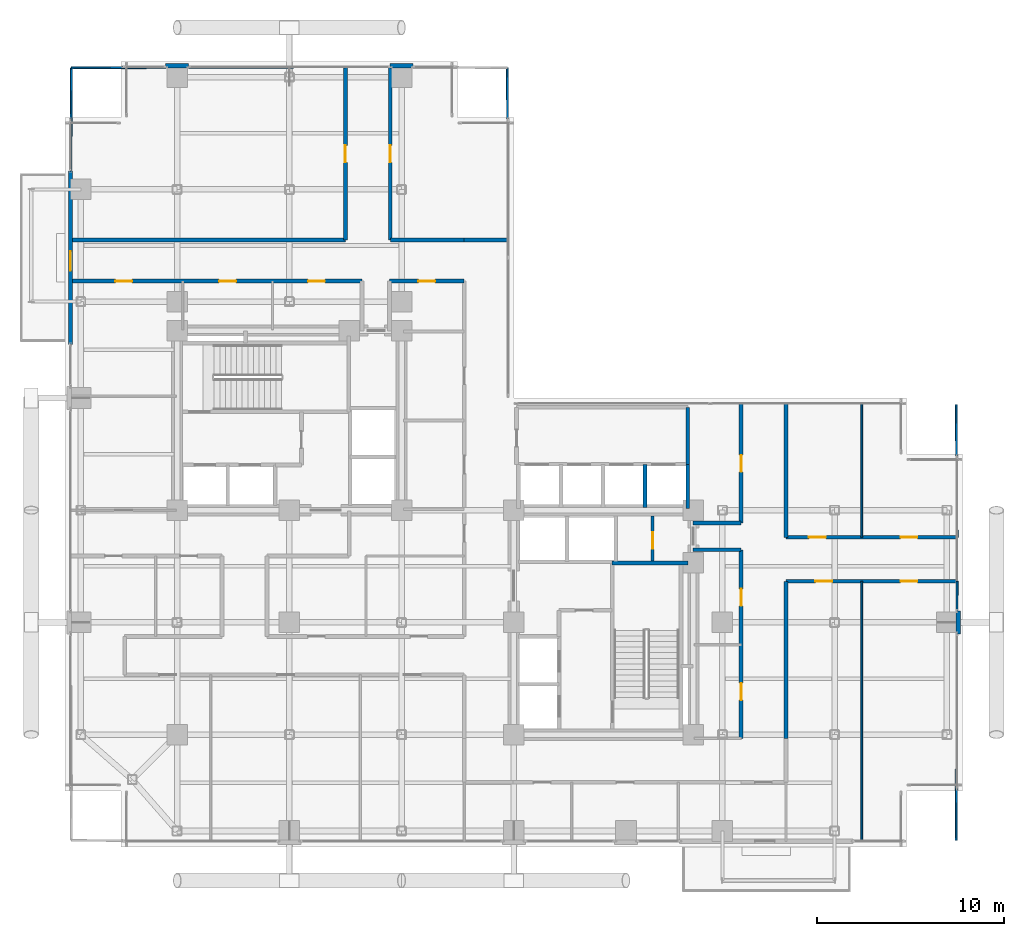
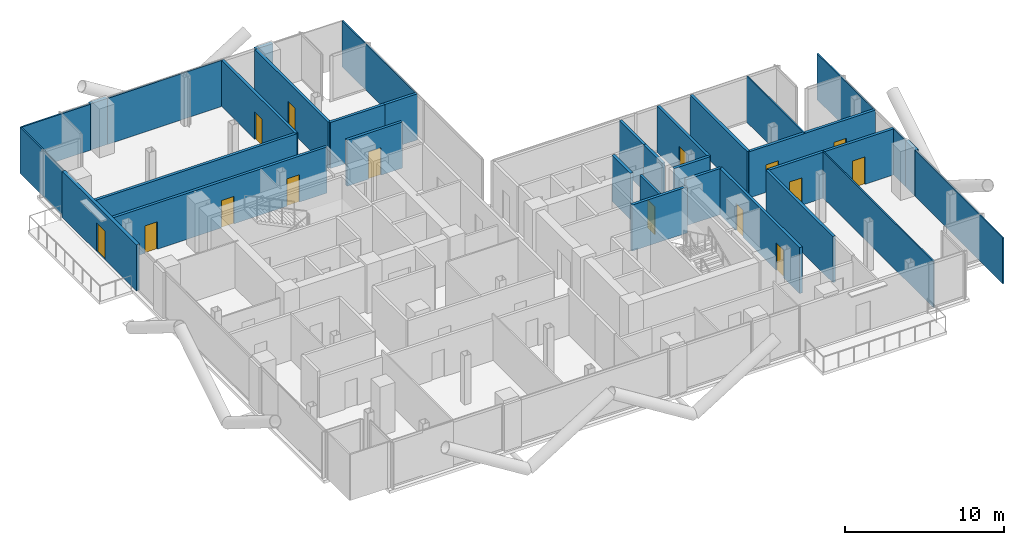
# One storey, part 24 of 28: 33 walls, 15 doors, 15 openings.
"""IFC4 building model written with IfcOpenShell, lengths in metres."""

from ifc_helpers import new_model, si_unit, direction, frame, frame_2d, origin, place, context, subcontext, project, spatial, rectangle, extrude, material, layer, layer_set, type_object, element, fill, save


model = new_model("IFC4")

# Units and contexts
model_context = context("Model", 3, precision=1e-05, world=origin(), true_north=direction((0.0, 1.0)))
body_context = subcontext(model_context, "Body", "Model", "MODEL_VIEW")
ifc_project = project(units=[si_unit("LENGTHUNIT", "METRE"), si_unit("AREAUNIT", "SQUARE_METRE"), si_unit("VOLUMEUNIT", "CUBIC_METRE"), si_unit("PLANEANGLEUNIT", "RADIAN"), si_unit("MASSUNIT", "GRAM", prefix="KILO"), si_unit("THERMODYNAMICTEMPERATUREUNIT", "KELVIN"), si_unit("POWERUNIT", "WATT")], contexts=[model_context])

# Site, building, storey
site_placement = place(None, origin())
site = spatial("IfcSite", under=ifc_project, at=site_placement, CompositionType="ELEMENT")
building_placement = place(site_placement, origin())
building = spatial("IfcBuilding", under=site, at=building_placement, Name="Svarakhadi Broadcast Tower", CompositionType="ELEMENT")
storey_placement = place(building_placement, frame((0.0, 0.0, 138.14990234375)))
storey = spatial("IfcBuildingStorey", under=building, at=storey_placement, Name="L33", CompositionType="ELEMENT", Elevation=138.14990234375)

# Wall, openings, doors
ifc_material_1 = material(Name="Double-Stud Acoustic Studio Partition STC-62", Category="gypsum")
ifc_layer_1 = layer(ifc_material_1, 0.199951171875)
ifc_layer_set_1 = layer_set([ifc_layer_1], Name="Double-Stud Acoustic Studio Partition STC-62")
wall_type_1 = type_object("IfcWallType", Name="Wall_Acoust_200", PredefinedType="PARTITIONING", material=ifc_layer_set_1)
wall_1_placement = place(storey_placement, frame((36.14990234375, 5.800048828125, 0.0), z_axis=(0.0, 0.0, 1.0), x_axis=(0.0, 1.0, 0.0)))
wall_1 = element("IfcWall", 1, at=wall_1_placement, inside=storey, type_object=wall_type_1, Name="L33 Zone 2/3 Corridor Wall", PredefinedType="PARTITIONING", context=body_context, shape_type="SweptSolid", body=[
    extrude(rectangle(XDim=10.079833984375, YDim=0.199951171875, at=frame_2d((5.0400390625, 0.0))), origin(), (0.0, 0.0, 1.0), 3.525146484375),
])
opening_1_placement = place(wall_1_placement, frame((2.050048828125, 0.0, 0.0)))
opening_1 = element("IfcOpeningElement", 2, at=opening_1_placement, cuts=wall_1, Name="Opening D-14", PredefinedType="OPENING", context=body_context, shape_type="SweptSolid", body=[
    extrude(rectangle(XDim=0.89990234375, YDim=2.10009765625, at=frame_2d((0.449951171875, 1.050048828125))), frame((0.0, 0.10986328125, 0.0), z_axis=(0.0, -1.0, 0.0), x_axis=(1.0, 0.0, 0.0)), (0.0, 0.0, 1.0), 0.219970703125),
])
opening_2_placement = place(wall_1_placement, frame((7.090087890625, 0.0, 0.0)))
opening_2 = element("IfcOpeningElement", 3, at=opening_2_placement, cuts=wall_1, Name="Opening D-15", PredefinedType="OPENING", context=body_context, shape_type="SweptSolid", body=[
    extrude(rectangle(XDim=0.89990234375, YDim=2.10009765625, at=frame_2d((0.449951171875, 1.050048828125))), frame((0.0, 0.10986328125, 0.0), z_axis=(0.0, -1.0, 0.0), x_axis=(1.0, 0.0, 0.0)), (0.0, 0.0, 1.0), 0.219970703125),
])
ifc_material_2 = material(Name="Solid-Core Teak Veneer Acoustic Timber Leaf", Category="wood")
door_type_1 = type_object("IfcDoorType", Name="Door_Int_D14", OperationType="SINGLE_SWING_LEFT", PredefinedType="DOOR", material=ifc_material_2)
door_1_placement = place(opening_1_placement, origin())
door_1 = element("IfcDoor", 4, at=door_1_placement, inside=storey, type_object=door_type_1, Name="L33 Media Playout Monitoring Office Door", OperationType="SINGLE_SWING_LEFT", OverallHeight=2.10009765625, OverallWidth=0.89990234375, PredefinedType="DOOR", context=body_context, shape_type="SweptSolid", body=[
    extrude(rectangle(XDim=0.89990234375, YDim=2.10009765625, at=frame_2d((0.449951171875, 1.050048828125))), frame((0.0, 0.02490234375, 0.0), z_axis=(0.0, -1.0, 0.0), x_axis=(1.0, 0.0, 0.0)), (0.0, 0.0, 1.0), 0.050048828125),
])
fill(opening_1, door_1)
door_type_2 = type_object("IfcDoorType", Name="Door_Int_D15", OperationType="SINGLE_SWING_RIGHT", PredefinedType="DOOR", material=ifc_material_2)
door_2_placement = place(opening_2_placement, origin())
door_2 = element("IfcDoor", 5, at=door_2_placement, inside=storey, type_object=door_type_2, Name="L33 Broadcast Ingest Studio Door", OperationType="SINGLE_SWING_RIGHT", OverallHeight=2.10009765625, OverallWidth=0.89990234375, PredefinedType="DOOR", context=body_context, shape_type="SweptSolid", body=[
    extrude(rectangle(XDim=0.89990234375, YDim=2.10009765625, at=frame_2d((0.449951171875, 1.050048828125))), frame((0.0, 0.02490234375, 0.0), z_axis=(0.0, -1.0, 0.0), x_axis=(1.0, 0.0, 0.0)), (0.0, 0.0, 1.0), 0.050048828125),
])
fill(opening_2, door_2)

# Walls
for number, where, z_axis, x_axis, name in (
    (6, (36.14990234375, 15.8798828125, 0.0), (0.0, 0.0, 1.0), (-1.0, 0.0, 0.0), "L33 Zone 2/3 Corridor Wall"),
    (7, (33.580078125, 17.320068359375, 0.0), (0.0, 0.0, 1.0), (1.0, 0.0, 0.0), "L33 Zone 2/3 Corridor Wall"),
):
    element("IfcWall", number, at=place(storey_placement, frame(where, z_axis=z_axis, x_axis=x_axis)), inside=storey, type_object=wall_type_1, Name=name, PredefinedType="PARTITIONING", context=body_context, shape_type="SweptSolid", body=[
        extrude(rectangle(XDim=2.56982421875, YDim=0.199951171875, at=frame_2d((1.284912109375, 0.0))), origin(), (0.0, 0.0, 1.0), 3.525146484375),
    ])

# Wall, opening, door
wall_2_placement = place(storey_placement, frame((36.14990234375, 17.320068359375, 0.0), z_axis=(0.0, 0.0, 1.0), x_axis=(0.0, 1.0, 0.0)))
wall_2 = element("IfcWall", 8, at=wall_2_placement, inside=storey, type_object=wall_type_1, Name="L33 Zone 2/3 Corridor Wall", PredefinedType="PARTITIONING", context=body_context, shape_type="SweptSolid", body=[
    extrude(rectangle(XDim=6.3798828125, YDim=0.199951171875, at=frame_2d((3.18994140625, 0.0))), origin(), (0.0, 0.0, 1.0), 3.525146484375),
])
opening_3_placement = place(wall_2_placement, frame((2.72998046875, 0.0, 0.0)))
opening_3 = element("IfcOpeningElement", 9, at=opening_3_placement, cuts=wall_2, Name="Opening D-14", PredefinedType="OPENING", context=body_context, shape_type="SweptSolid", body=[
    extrude(rectangle(XDim=0.89990234375, YDim=2.10009765625, at=frame_2d((0.449951171875, 1.050048828125))), frame((0.0, 0.10986328125, 0.0), z_axis=(0.0, -1.0, 0.0), x_axis=(1.0, 0.0, 0.0)), (0.0, 0.0, 1.0), 0.219970703125),
])
door_3_placement = place(opening_3_placement, origin())
door_3 = element("IfcDoor", 10, at=door_3_placement, inside=storey, type_object=door_type_1, Name="L33 Post-Production Coordination Office Door", OperationType="SINGLE_SWING_LEFT", OverallHeight=2.10009765625, OverallWidth=0.89990234375, PredefinedType="DOOR", context=body_context, shape_type="SweptSolid", body=[
    extrude(rectangle(XDim=0.89990234375, YDim=2.10009765625, at=frame_2d((0.449951171875, 1.050048828125))), frame((0.0, 0.02490234375, 0.0), z_axis=(0.0, -1.0, 0.0), x_axis=(1.0, 0.0, 0.0)), (0.0, 0.0, 1.0), 0.050048828125),
])
fill(opening_3, door_3)

# Wall
wall_3_placement = place(storey_placement, frame((38.550048828125, 23.699951171875, 0.0), z_axis=(0.0, 0.0, 1.0), x_axis=(0.0, -1.0, 0.0)))
element("IfcWall", 11, at=wall_3_placement, inside=storey, type_object=wall_type_1, Name="L33 Zone 2/3 Corridor Wall", PredefinedType="PARTITIONING", context=body_context, shape_type="SweptSolid", body=[
    extrude(rectangle(XDim=7.14990234375, YDim=0.199951171875, at=frame_2d((3.574951171875, 0.0))), origin(), (0.0, 0.0, 1.0), 3.525146484375),
])

# Wall, openings, doors
wall_4_placement = place(storey_placement, frame((38.550048828125, 16.550048828125, 0.0), z_axis=(0.0, 0.0, 1.0), x_axis=(1.0, 0.0, 0.0)))
wall_4 = element("IfcWall", 12, at=wall_4_placement, inside=storey, type_object=wall_type_1, Name="L33 Zone 2/3 Corridor Wall", PredefinedType="PARTITIONING", context=body_context, shape_type="SweptSolid", body=[
    extrude(rectangle(XDim=9.14990234375, YDim=0.199951171875, at=frame_2d((4.574951171875, 0.0))), origin(), (0.0, 0.0, 1.0), 3.525146484375),
])
opening_4_placement = place(wall_4_placement, frame((1.22998046875, 0.0, 0.0)))
opening_4 = element("IfcOpeningElement", 13, at=opening_4_placement, cuts=wall_4, Name="Opening D-15", PredefinedType="OPENING", context=body_context, shape_type="SweptSolid", body=[
    extrude(rectangle(XDim=0.89990234375, YDim=2.10009765625, at=frame_2d((0.449951171875, 1.050048828125))), frame((0.0, 0.10986328125, 0.0), z_axis=(0.0, -1.0, 0.0), x_axis=(1.0, 0.0, 0.0)), (0.0, 0.0, 1.0), 0.219970703125),
])
opening_5_placement = place(wall_4_placement, frame((6.125, 0.0, 0.0)))
opening_5 = element("IfcOpeningElement", 14, at=opening_5_placement, cuts=wall_4, Name="Opening D-14", PredefinedType="OPENING", context=body_context, shape_type="SweptSolid", body=[
    extrude(rectangle(XDim=0.89990234375, YDim=2.10009765625, at=frame_2d((0.449951171875, 1.050048828125))), frame((0.0, 0.10986328125, 0.0), z_axis=(0.0, -1.0, 0.0), x_axis=(1.0, 0.0, 0.0)), (0.0, 0.0, 1.0), 0.219970703125),
])
door_4_placement = place(opening_5_placement, origin())
door_4 = element("IfcDoor", 15, at=door_4_placement, inside=storey, type_object=door_type_1, Name="L33 Graphics Workstation Office Door", OperationType="SINGLE_SWING_LEFT", OverallHeight=2.10009765625, OverallWidth=0.89990234375, PredefinedType="DOOR", context=body_context, shape_type="SweptSolid", body=[
    extrude(rectangle(XDim=0.89990234375, YDim=2.10009765625, at=frame_2d((0.449951171875, 1.050048828125))), frame((0.0, 0.02490234375, 0.0), z_axis=(0.0, -1.0, 0.0), x_axis=(1.0, 0.0, 0.0)), (0.0, 0.0, 1.0), 0.050048828125),
])
fill(opening_5, door_4)
door_5_placement = place(opening_4_placement, origin())
door_5 = element("IfcDoor", 16, at=door_5_placement, inside=storey, type_object=door_type_2, Name="L33 Broadcast Graphics Room Door", OperationType="SINGLE_SWING_RIGHT", OverallHeight=2.10009765625, OverallWidth=0.89990234375, PredefinedType="DOOR", context=body_context, shape_type="SweptSolid", body=[
    extrude(rectangle(XDim=0.89990234375, YDim=2.10009765625, at=frame_2d((0.449951171875, 1.050048828125))), frame((0.0, 0.02490234375, 0.0), z_axis=(0.0, -1.0, 0.0), x_axis=(1.0, 0.0, 0.0)), (0.0, 0.0, 1.0), 0.050048828125),
])
fill(opening_4, door_5)

wall_5_placement = place(storey_placement, frame((47.699951171875, 14.199951171875, 0.0), z_axis=(0.0, 0.0, 1.0), x_axis=(-1.0, 0.0, 0.0)))
wall_5 = element("IfcWall", 17, at=wall_5_placement, inside=storey, type_object=wall_type_1, Name="L33 Zone 2/3 Corridor Wall", PredefinedType="PARTITIONING", context=body_context, shape_type="SweptSolid", body=[
    extrude(rectangle(XDim=9.14990234375, YDim=0.199951171875, at=frame_2d((4.574951171875, 0.0))), origin(), (0.0, 0.0, 1.0), 3.525146484375),
])
opening_6_placement = place(wall_5_placement, frame((6.675048828125, 0.0, 0.0)))
opening_6 = element("IfcOpeningElement", 18, at=opening_6_placement, cuts=wall_5, Name="Opening D-15", PredefinedType="OPENING", context=body_context, shape_type="SweptSolid", body=[
    extrude(rectangle(XDim=0.89990234375, YDim=2.10009765625, at=frame_2d((0.449951171875, 1.050048828125))), frame((0.0, 0.10986328125, 0.0), z_axis=(0.0, -1.0, 0.0), x_axis=(1.0, 0.0, 0.0)), (0.0, 0.0, 1.0), 0.219970703125),
])
opening_7_placement = place(wall_5_placement, frame((2.125, 0.0, 0.0)))
opening_7 = element("IfcOpeningElement", 19, at=opening_7_placement, cuts=wall_5, Name="Opening D-14", PredefinedType="OPENING", context=body_context, shape_type="SweptSolid", body=[
    extrude(rectangle(XDim=0.89990234375, YDim=2.10009765625, at=frame_2d((0.449951171875, 1.050048828125))), frame((0.0, 0.10986328125, 0.0), z_axis=(0.0, -1.0, 0.0), x_axis=(1.0, 0.0, 0.0)), (0.0, 0.0, 1.0), 0.219970703125),
])
door_6_placement = place(opening_7_placement, origin())
door_6 = element("IfcDoor", 20, at=door_6_placement, inside=storey, type_object=door_type_1, Name="L33 3D Rigging Pod Door", OperationType="SINGLE_SWING_LEFT", OverallHeight=2.10009765625, OverallWidth=0.89990234375, PredefinedType="DOOR", context=body_context, shape_type="SweptSolid", body=[
    extrude(rectangle(XDim=0.89990234375, YDim=2.10009765625, at=frame_2d((0.449951171875, 1.050048828125))), frame((0.0, 0.02490234375, 0.0), z_axis=(0.0, -1.0, 0.0), x_axis=(1.0, 0.0, 0.0)), (0.0, 0.0, 1.0), 0.050048828125),
])
fill(opening_7, door_6)
door_7_placement = place(opening_6_placement, origin())
door_7 = element("IfcDoor", 21, at=door_7_placement, inside=storey, type_object=door_type_2, Name="L33 Concept Art Pod Door", OperationType="SINGLE_SWING_RIGHT", OverallHeight=2.10009765625, OverallWidth=0.89990234375, PredefinedType="DOOR", context=body_context, shape_type="SweptSolid", body=[
    extrude(rectangle(XDim=0.89990234375, YDim=2.10009765625, at=frame_2d((0.449951171875, 1.050048828125))), frame((0.0, 0.02490234375, 0.0), z_axis=(0.0, -1.0, 0.0), x_axis=(1.0, 0.0, 0.0)), (0.0, 0.0, 1.0), 0.050048828125),
])
fill(opening_6, door_7)

# Wall
wall_6_placement = place(storey_placement, frame((38.550048828125, 14.199951171875, 0.0), z_axis=(0.0, 0.0, 1.0), x_axis=(0.0, -1.0, 0.0)))
element("IfcWall", 22, at=wall_6_placement, inside=storey, type_object=wall_type_1, Name="L33 Zone 2/3 Corridor Wall", PredefinedType="PARTITIONING", context=body_context, shape_type="SweptSolid", body=[
    extrude(rectangle(XDim=8.39990234375, YDim=0.199951171875, at=frame_2d((4.199951171875, 0.0))), origin(), (0.0, 0.0, 1.0), 3.525146484375),
])

# Wall, opening, door
wall_7_placement = place(storey_placement, frame((21.35009765625, 30.25, 0.0), z_axis=(0.0, 0.0, 1.0), x_axis=(-1.0, 0.0, 0.0)))
wall_7 = element("IfcWall", 23, at=wall_7_placement, inside=storey, type_object=wall_type_1, Name="L33 Zone 2/3 Corridor Wall", PredefinedType="PARTITIONING", context=body_context, shape_type="SweptSolid", body=[
    extrude(rectangle(XDim=4.0, YDim=0.199951171875, at=frame_2d((2.0, 0.0))), origin(), (0.0, 0.0, 1.0), 3.525146484375),
])
opening_8_placement = place(wall_7_placement, frame((1.550048828125, 0.0, 0.0)))
opening_8 = element("IfcOpeningElement", 24, at=opening_8_placement, cuts=wall_7, Name="Opening D-14", PredefinedType="OPENING", context=body_context, shape_type="SweptSolid", body=[
    extrude(rectangle(XDim=0.89990234375, YDim=2.10009765625, at=frame_2d((0.449951171875, 1.050048828125))), frame((0.0, 0.10986328125, 0.0), z_axis=(0.0, -1.0, 0.0), x_axis=(1.0, 0.0, 0.0)), (0.0, 0.0, 1.0), 0.219970703125),
])
door_8_placement = place(opening_8_placement, origin())
door_8 = element("IfcDoor", 25, at=door_8_placement, inside=storey, type_object=door_type_1, Name="L33 Media Continuity Study Door", OperationType="SINGLE_SWING_LEFT", OverallHeight=2.10009765625, OverallWidth=0.89990234375, PredefinedType="DOOR", context=body_context, shape_type="SweptSolid", body=[
    extrude(rectangle(XDim=0.89990234375, YDim=2.10009765625, at=frame_2d((0.449951171875, 1.050048828125))), frame((0.0, 0.02490234375, 0.0), z_axis=(0.0, -1.0, 0.0), x_axis=(1.0, 0.0, 0.0)), (0.0, 0.0, 1.0), 0.050048828125),
])
fill(opening_8, door_8)

# Wall, openings, doors
wall_8_placement = place(storey_placement, frame((15.8798828125, 30.25, 0.0), z_axis=(0.0, 0.0, 1.0), x_axis=(-1.0, 0.0, 0.0)))
wall_8 = element("IfcWall", 26, at=wall_8_placement, inside=storey, type_object=wall_type_1, Name="L33 Zone 2/3 Corridor Wall", PredefinedType="PARTITIONING", context=body_context, shape_type="SweptSolid", body=[
    extrude(rectangle(XDim=15.579833984375, YDim=0.199951171875, at=frame_2d((7.7900390625, 0.0))), origin(), (0.0, 0.0, 1.0), 3.525146484375),
])
opening_9_placement = place(wall_8_placement, frame((12.280029296875, 0.0, 0.0)))
opening_9 = element("IfcOpeningElement", 27, at=opening_9_placement, cuts=wall_8, Name="Opening D-15", PredefinedType="OPENING", context=body_context, shape_type="SweptSolid", body=[
    extrude(rectangle(XDim=0.89990234375, YDim=2.10009765625, at=frame_2d((0.449951171875, 1.050048828125))), frame((0.0, 0.10986328125, 0.0), z_axis=(0.0, -1.0, 0.0), x_axis=(1.0, 0.0, 0.0)), (0.0, 0.0, 1.0), 0.219970703125),
])
opening_10_placement = place(wall_8_placement, frame((6.72998046875, 0.0, 0.0)))
opening_10 = element("IfcOpeningElement", 28, at=opening_10_placement, cuts=wall_8, Name="Opening D-14", PredefinedType="OPENING", context=body_context, shape_type="SweptSolid", body=[
    extrude(rectangle(XDim=0.89990234375, YDim=2.10009765625, at=frame_2d((0.449951171875, 1.050048828125))), frame((0.0, 0.10986328125, 0.0), z_axis=(0.0, -1.0, 0.0), x_axis=(1.0, 0.0, 0.0)), (0.0, 0.0, 1.0), 0.219970703125),
])
opening_11_placement = place(wall_8_placement, frame((1.97998046875, 0.0, 0.0)))
opening_11 = element("IfcOpeningElement", 29, at=opening_11_placement, cuts=wall_8, Name="Opening D-15", PredefinedType="OPENING", context=body_context, shape_type="SweptSolid", body=[
    extrude(rectangle(XDim=0.89990234375, YDim=2.10009765625, at=frame_2d((0.449951171875, 1.050048828125))), frame((0.0, 0.10986328125, 0.0), z_axis=(0.0, -1.0, 0.0), x_axis=(1.0, 0.0, 0.0)), (0.0, 0.0, 1.0), 0.219970703125),
])
door_9_placement = place(opening_10_placement, origin())
door_9 = element("IfcDoor", 30, at=door_9_placement, inside=storey, type_object=door_type_1, Name="L33 Acoustic Dubbing Booth Door", OperationType="SINGLE_SWING_LEFT", OverallHeight=2.10009765625, OverallWidth=0.89990234375, PredefinedType="DOOR", context=body_context, shape_type="SweptSolid", body=[
    extrude(rectangle(XDim=0.89990234375, YDim=2.10009765625, at=frame_2d((0.449951171875, 1.050048828125))), frame((0.0, 0.02490234375, 0.0), z_axis=(0.0, -1.0, 0.0), x_axis=(1.0, 0.0, 0.0)), (0.0, 0.0, 1.0), 0.050048828125),
])
fill(opening_10, door_9)
door_10_placement = place(opening_9_placement, origin())
door_10 = element("IfcDoor", 31, at=door_10_placement, inside=storey, type_object=door_type_2, Name="L33 Sunset Horizon Screening Room Door", OperationType="SINGLE_SWING_RIGHT", OverallHeight=2.10009765625, OverallWidth=0.89990234375, PredefinedType="DOOR", context=body_context, shape_type="SweptSolid", body=[
    extrude(rectangle(XDim=0.89990234375, YDim=2.10009765625, at=frame_2d((0.449951171875, 1.050048828125))), frame((0.0, 0.02490234375, 0.0), z_axis=(0.0, -1.0, 0.0), x_axis=(1.0, 0.0, 0.0)), (0.0, 0.0, 1.0), 0.050048828125),
])
fill(opening_9, door_10)
door_11_placement = place(opening_11_placement, origin())
door_11 = element("IfcDoor", 32, at=door_11_placement, inside=storey, type_object=door_type_2, Name="L33 Editorial Color Grading Pod Door", OperationType="SINGLE_SWING_RIGHT", OverallHeight=2.10009765625, OverallWidth=0.89990234375, PredefinedType="DOOR", context=body_context, shape_type="SweptSolid", body=[
    extrude(rectangle(XDim=0.89990234375, YDim=2.10009765625, at=frame_2d((0.449951171875, 1.050048828125))), frame((0.0, 0.02490234375, 0.0), z_axis=(0.0, -1.0, 0.0), x_axis=(1.0, 0.0, 0.0)), (0.0, 0.0, 1.0), 0.050048828125),
])
fill(opening_11, door_11)

# Wall
wall_9_placement = place(storey_placement, frame((0.300048828125, 32.449951171875, 0.0), z_axis=(0.0, 0.0, 1.0), x_axis=(1.0, 0.0, 0.0)))
element("IfcWall", 33, at=wall_9_placement, inside=storey, type_object=wall_type_1, Name="L33 Zone 2/3 Corridor Wall", PredefinedType="PARTITIONING", context=body_context, shape_type="SweptSolid", body=[
    extrude(rectangle(XDim=14.699951171875, YDim=0.199951171875, at=frame_2d((7.35009765625, 0.0))), origin(), (0.0, 0.0, 1.0), 3.525146484375),
])

# Wall, opening, door
wall_10_placement = place(storey_placement, frame((15.0, 32.449951171875, 0.0), z_axis=(0.0, 0.0, 1.0), x_axis=(0.0, 1.0, 0.0)))
wall_10 = element("IfcWall", 34, at=wall_10_placement, inside=storey, type_object=wall_type_1, Name="L33 Zone 2/3 Corridor Wall", PredefinedType="PARTITIONING", context=body_context, shape_type="SweptSolid", body=[
    extrude(rectangle(XDim=9.25, YDim=0.199951171875, at=frame_2d((4.625, 0.0))), origin(), (0.0, 0.0, 1.0), 3.525146484375),
])
opening_12_placement = place(wall_10_placement, frame((4.14990234375, 0.0, 0.0)))
opening_12 = element("IfcOpeningElement", 35, at=opening_12_placement, cuts=wall_10, Name="Opening D-14", PredefinedType="OPENING", context=body_context, shape_type="SweptSolid", body=[
    extrude(rectangle(XDim=0.89990234375, YDim=2.10009765625, at=frame_2d((0.449951171875, 1.050048828125))), frame((0.0, 0.10986328125, 0.0), z_axis=(0.0, -1.0, 0.0), x_axis=(1.0, 0.0, 0.0)), (0.0, 0.0, 1.0), 0.219970703125),
])
door_12_placement = place(opening_12_placement, origin())
door_12 = element("IfcDoor", 36, at=door_12_placement, inside=storey, type_object=door_type_1, Name="L33 Creators Commons Bistro Door", OperationType="SINGLE_SWING_LEFT", OverallHeight=2.10009765625, OverallWidth=0.89990234375, PredefinedType="DOOR", context=body_context, shape_type="SweptSolid", body=[
    extrude(rectangle(XDim=0.89990234375, YDim=2.10009765625, at=frame_2d((0.449951171875, 1.050048828125))), frame((0.0, 0.02490234375, 0.0), z_axis=(0.0, -1.0, 0.0), x_axis=(1.0, 0.0, 0.0)), (0.0, 0.0, 1.0), 0.050048828125),
])
fill(opening_12, door_12)

wall_11_placement = place(storey_placement, frame((17.39990234375, 41.699951171875, 0.0), z_axis=(0.0, 0.0, 1.0), x_axis=(0.0, -1.0, 0.0)))
wall_11 = element("IfcWall", 37, at=wall_11_placement, inside=storey, type_object=wall_type_1, Name="L33 Zone 2/3 Corridor Wall", PredefinedType="PARTITIONING", context=body_context, shape_type="SweptSolid", body=[
    extrude(rectangle(XDim=9.25, YDim=0.199951171875, at=frame_2d((4.625, 0.0))), origin(), (0.0, 0.0, 1.0), 3.525146484375),
])
opening_13_placement = place(wall_11_placement, frame((4.199951171875, 0.0, 0.0)))
opening_13 = element("IfcOpeningElement", 38, at=opening_13_placement, cuts=wall_11, Name="Opening D-15", PredefinedType="OPENING", context=body_context, shape_type="SweptSolid", body=[
    extrude(rectangle(XDim=0.89990234375, YDim=2.10009765625, at=frame_2d((0.449951171875, 1.050048828125))), frame((0.0, 0.10986328125, 0.0), z_axis=(0.0, -1.0, 0.0), x_axis=(1.0, 0.0, 0.0)), (0.0, 0.0, 1.0), 0.219970703125),
])
door_13_placement = place(opening_13_placement, origin())
door_13 = element("IfcDoor", 39, at=door_13_placement, inside=storey, type_object=door_type_2, Name="L33 Executive Producer Office Door", OperationType="SINGLE_SWING_RIGHT", OverallHeight=2.10009765625, OverallWidth=0.89990234375, PredefinedType="DOOR", context=body_context, shape_type="SweptSolid", body=[
    extrude(rectangle(XDim=0.89990234375, YDim=2.10009765625, at=frame_2d((0.449951171875, 1.050048828125))), frame((0.0, 0.02490234375, 0.0), z_axis=(0.0, -1.0, 0.0), x_axis=(1.0, 0.0, 0.0)), (0.0, 0.0, 1.0), 0.050048828125),
])
fill(opening_13, door_13)

# Walls
wall_12_placement = place(storey_placement, frame((17.39990234375, 32.449951171875, 0.0), z_axis=(0.0, 0.0, 1.0), x_axis=(1.0, 0.0, 0.0)))
element("IfcWall", 40, at=wall_12_placement, inside=storey, type_object=wall_type_1, Name="L33 Zone 2/3 Corridor Wall", PredefinedType="PARTITIONING", context=body_context, shape_type="SweptSolid", body=[
    extrude(rectangle(XDim=3.9501953125, YDim=0.199951171875, at=frame_2d((1.97509765625, 0.0))), origin(), (0.0, 0.0, 1.0), 3.525146484375),
])
wall_13_placement = place(storey_placement, frame((21.35009765625, 32.449951171875, 0.0), z_axis=(0.0, 0.0, 1.0), x_axis=(1.0, 0.0, 0.0)))
element("IfcWall", 41, at=wall_13_placement, inside=storey, type_object=wall_type_1, Name="L33 Zone 2/3 Corridor Wall", PredefinedType="PARTITIONING", context=body_context, shape_type="SweptSolid", body=[
    extrude(rectangle(XDim=2.349853515625, YDim=0.199951171875, at=frame_2d((1.1748046875, 0.0))), origin(), (0.0, 0.0, 1.0), 3.525146484375),
])

# Wall, opening, door
ifc_material_3 = material(Name="Concrete C40/50 (IS 456 M50)", Category="concrete")
ifc_layer_2 = layer(ifc_material_3, 0.239990234375)
ifc_layer_set_2 = layer_set([ifc_layer_2], Name="Concrete C40/50 (IS 456 M50)")
wall_type_2 = type_object("IfcWallType", Name="Wall_Ext_240", PredefinedType="SOLIDWALL", material=ifc_layer_set_2)
wall_14_placement = place(storey_placement, frame((0.300048828125, 26.85498046875, 0.0), z_axis=(0.0, 0.0, 1.0), x_axis=(0.0, 1.0, 0.0)))
wall_14 = element("IfcWall", 42, at=wall_14_placement, inside=storey, type_object=wall_type_2, Name="L33 West Tree Balcony Spandrel Wall", PredefinedType="SOLIDWALL", context=body_context, shape_type="SweptSolid", body=[
    extrude(rectangle(XDim=9.2900390625, YDim=0.239990234375, at=frame_2d((4.64501953125, 0.0))), origin(), (0.0, 0.0, 1.0), 3.525146484375),
])
opening_14_placement = place(wall_14_placement, frame((3.945068359375, 0.0, 0.0)))
opening_14 = element("IfcOpeningElement", 43, at=opening_14_placement, cuts=wall_14, Name="Opening ED-06", PredefinedType="OPENING", context=body_context, shape_type="SweptSolid", body=[
    extrude(rectangle(XDim=1.050048828125, YDim=2.199951171875, at=frame_2d((0.52490234375, 1.10009765625))), frame((0.0, 0.1298828125, 0.0), z_axis=(0.0, -1.0, 0.0), x_axis=(1.0, 0.0, 0.0)), (0.0, 0.0, 1.0), 0.260009765625),
])
ifc_material_4 = material(Name="Anodised Bronze Aluminium AA 6063-T6", Category="aluminium")
door_type_3 = type_object("IfcDoorType", Name="Door_Ext_ED06", OperationType="SINGLE_SWING_RIGHT", PredefinedType="DOOR", material=ifc_material_4)
door_14_placement = place(opening_14_placement, origin())
door_14 = element("IfcDoor", 44, at=door_14_placement, inside=storey, type_object=door_type_3, Name="L33 West Tree Balcony Door", OperationType="SINGLE_SWING_RIGHT", OverallHeight=2.199951171875, OverallWidth=1.050048828125, PredefinedType="DOOR", context=body_context, shape_type="SweptSolid", body=[
    extrude(rectangle(XDim=1.050048828125, YDim=2.199951171875, at=frame_2d((0.52490234375, 1.10009765625))), frame((0.0, 0.02490234375, 0.0), z_axis=(0.0, -1.0, 0.0), x_axis=(1.0, 0.0, 0.0)), (0.0, 0.0, 1.0), 0.050048828125),
])
fill(opening_14, door_14)

# Walls
for number, where, z_axis, x_axis, name in (
    (45, (5.385009765625, 41.760009765625, 0.0), (0.0, 0.0, 1.0), (1.0, 0.0, 0.0), "L33 Perimeter Bronze Spandrel Closure Wall 03"),
    (46, (17.385009765625, 41.760009765625, 0.0), (0.0, 0.0, 1.0), (1.0, 0.0, 0.0), "L33 Perimeter Bronze Spandrel Closure Wall 04"),
    (47, (47.760009765625, 12.614990234375, 0.0), (0.0, 0.0, 1.0), (0.0, -1.0, 0.0), "L33 Perimeter Bronze Spandrel Closure Wall 05"),
):
    element("IfcWall", number, at=place(storey_placement, frame(where, z_axis=z_axis, x_axis=x_axis)), inside=storey, type_object=wall_type_2, Name=name, PredefinedType="SOLIDWALL", context=body_context, shape_type="SweptSolid", body=[
        extrude(rectangle(XDim=1.22998046875, YDim=0.239990234375, at=frame_2d((0.614990234375, 0.0))), origin(), (0.0, 0.0, 1.0), 3.525146484375),
    ])
ifc_material_5 = material(Name="Fire-Rated Moisture-Resistant Gypsum Board Partition", Category="gypsum")
ifc_layer_3 = layer(ifc_material_5, 0.10009765625)
ifc_layer_set_3 = layer_set([ifc_layer_3], Name="Fire-Rated Moisture-Resistant Gypsum Board Partition")
wall_type_3 = type_object("IfcWallType", Name="Wall_Part_100", PredefinedType="PARTITIONING", material=ifc_layer_set_3)
wall_15_placement = place(storey_placement, frame((42.60009765625, 0.300048828125, 0.0), z_axis=(0.0, 0.0, 1.0), x_axis=(0.0, 1.0, 0.0)))
element("IfcWall", 48, at=wall_15_placement, inside=storey, type_object=wall_type_3, Name="L33 Concept Art Pod Wall", PredefinedType="PARTITIONING", context=body_context, shape_type="SweptSolid", body=[
    extrude(rectangle(XDim=13.89990234375, YDim=0.10009765625, at=frame_2d((6.949951171875, 0.0))), origin(), (0.0, 0.0, 1.0), 3.525146484375),
])
wall_16_placement = place(storey_placement, frame((47.64990234375, 0.35009765625, 0.0), z_axis=(0.0, 0.0, 1.0), x_axis=(0.003606251025, 0.999993497456, 0.0)))
element("IfcWall", 49, at=wall_16_placement, inside=storey, type_object=wall_type_3, Name="L33 3D Rigging Pod Wall", PredefinedType="PARTITIONING", context=body_context, shape_type="SweptSolid", body=[
    extrude(rectangle(XDim=11.034912109375, YDim=0.10009765625, at=frame_2d((5.517578125, 0.0))), origin(), (0.0, 0.0, 1.0), 3.525146484375),
])
wall_17_placement = place(storey_placement, frame((47.6943359375, 12.614990234375, 0.0), z_axis=(0.0, 0.0, 1.0), x_axis=(0.003542799701, 0.999993724265, 0.0)))
element("IfcWall", 50, at=wall_17_placement, inside=storey, type_object=wall_type_3, Name="L33 3D Rigging Pod Wall", PredefinedType="PARTITIONING", context=body_context, shape_type="SweptSolid", body=[
    extrude(rectangle(XDim=1.5849609375, YDim=0.10009765625, at=frame_2d((0.79248046875, 0.0))), origin(), (0.0, 0.0, 1.0), 3.525146484375),
])
wall_18_placement = place(storey_placement, frame((42.60009765625, 16.550048828125, 0.0), z_axis=(0.0, 0.0, 1.0), x_axis=(0.0, 1.0, 0.0)))
element("IfcWall", 51, at=wall_18_placement, inside=storey, type_object=wall_type_3, Name="L33 Broadcast Graphics Room Wall", PredefinedType="PARTITIONING", context=body_context, shape_type="SweptSolid", body=[
    extrude(rectangle(XDim=7.14990234375, YDim=0.10009765625, at=frame_2d((3.574951171875, 0.0))), origin(), (0.0, 0.0, 1.0), 3.525146484375),
])
wall_19_placement = place(storey_placement, frame((47.699951171875, 16.550048828125, 0.0), z_axis=(0.0, 0.0, 1.0), x_axis=(-0.007049101019, 0.999975154779, 0.0)))
element("IfcWall", 52, at=wall_19_placement, inside=storey, type_object=wall_type_3, Name="L33 Graphics Workstation Office Wall", PredefinedType="PARTITIONING", context=body_context, shape_type="SweptSolid", body=[
    extrude(rectangle(XDim=7.10009765625, YDim=0.10009765625, at=frame_2d((3.550048828125, 0.0))), origin(), (0.0, 0.0, 1.0), 3.525146484375),
])
wall_20_placement = place(storey_placement, frame((0.35009765625, 41.64990234375, 0.0), z_axis=(0.0, 0.0, 1.0), x_axis=(0.999994073761, 0.003442737683, 0.0)))
element("IfcWall", 53, at=wall_20_placement, inside=storey, type_object=wall_type_3, Name="L33 Creators Commons Bistro Wall", PredefinedType="PARTITIONING", context=body_context, shape_type="SweptSolid", body=[
    extrude(rectangle(XDim=5.034912109375, YDim=0.10009765625, at=frame_2d((2.517578125, 0.0))), origin(), (0.0, 0.0, 1.0), 3.525146484375),
])
wall_21_placement = place(storey_placement, frame((6.614990234375, 41.67138671875, 0.0), z_axis=(0.0, 0.0, 1.0), x_axis=(0.999994197557, 0.003406589638, 0.0)))
element("IfcWall", 54, at=wall_21_placement, inside=storey, type_object=wall_type_3, Name="L33 Creators Commons Bistro Wall", PredefinedType="PARTITIONING", context=body_context, shape_type="SweptSolid", body=[
    extrude(rectangle(XDim=8.385009765625, YDim=0.10009765625, at=frame_2d((4.1923828125, 0.0))), origin(), (0.0, 0.0, 1.0), 3.525146484375),
])
wall_22_placement = place(storey_placement, frame((0.320068359375, 36.14501953125, 0.0), z_axis=(0.0, 0.0, 1.0), x_axis=(0.005454948109, 0.99998512166, 0.0)))
element("IfcWall", 55, at=wall_22_placement, inside=storey, type_object=wall_type_3, Name="L33 Creators Commons Bistro Wall", PredefinedType="PARTITIONING", context=body_context, shape_type="SweptSolid", body=[
    extrude(rectangle(XDim=5.5048828125, YDim=0.10009765625, at=frame_2d((2.75244140625, 0.0))), origin(), (0.0, 0.0, 1.0), 3.525146484375),
])
wall_23_placement = place(storey_placement, frame((23.699951171875, 32.449951171875, 0.0), z_axis=(0.0, 0.0, 1.0), x_axis=(-0.005440038388, 0.999985202882, 0.0)))
element("IfcWall", 56, at=wall_23_placement, inside=storey, type_object=wall_type_3, Name="L33 Executive Producer Office Wall", PredefinedType="PARTITIONING", context=body_context, shape_type="SweptSolid", body=[
    extrude(rectangle(XDim=9.2001953125, YDim=0.10009765625, at=frame_2d((4.60009765625, 0.0))), origin(), (0.0, 0.0, 1.0), 3.525146484375),
])

# Wall, opening, door
ifc_material_6 = material(Name="Autoclaved Aerated Concrete Blockwork 150 mm", Category="masonry")
ifc_layer_4 = layer(ifc_material_6, 0.14990234375)
ifc_layer_set_4 = layer_set([ifc_layer_4], Name="Autoclaved Aerated Concrete Blockwork 150 mm")
wall_type_4 = type_object("IfcWallType", Name="Wall_Part_150", PredefinedType="PARTITIONING", material=ifc_layer_set_4)
wall_24_placement = place(storey_placement, frame((31.419921875, 15.280029296875, 0.0), z_axis=(0.0, 0.0, 1.0), x_axis=(0.0, 1.0, 0.0)))
wall_24 = element("IfcWall", 57, at=wall_24_placement, inside=storey, type_object=wall_type_4, Name="L33 Core Service Split Wall", PredefinedType="PARTITIONING", context=body_context, shape_type="SweptSolid", body=[
    extrude(rectangle(XDim=2.419921875, YDim=0.14990234375, at=frame_2d((1.2099609375, 0.0))), origin(), (0.0, 0.0, 1.0), 3.525146484375),
])
opening_15_placement = place(wall_24_placement, frame((0.64990234375, 0.0, 0.0)))
opening_15 = element("IfcOpeningElement", 58, at=opening_15_placement, cuts=wall_24, Name="Opening D-03", PredefinedType="OPENING", context=body_context, shape_type="SweptSolid", body=[
    extrude(rectangle(XDim=0.89990234375, YDim=2.14990234375, at=frame_2d((0.449951171875, 1.074951171875))), frame((0.0, 0.0849609375, 0.0), z_axis=(0.0, -1.0, 0.0), x_axis=(1.0, 0.0, 0.0)), (0.0, 0.0, 1.0), 0.169921875),
])
ifc_material_7 = material(Name="Galvanised Powder-Coated Fire-Rated Steel Leaf", Category="steel")
door_type_4 = type_object("IfcDoorType", Name="Door_Fire_D03", OperationType="SINGLE_SWING_LEFT", PredefinedType="DOOR", material=ifc_material_7)
door_15_placement = place(opening_15_placement, origin())
door_15 = element("IfcDoor", 59, at=door_15_placement, inside=storey, type_object=door_type_4, Name="L33 Core Inner Riser Store Door", OperationType="SINGLE_SWING_LEFT", OverallHeight=2.14990234375, OverallWidth=0.89990234375, PredefinedType="DOOR", context=body_context, shape_type="SweptSolid", body=[
    extrude(rectangle(XDim=0.89990234375, YDim=2.14990234375, at=frame_2d((0.449951171875, 1.074951171875))), frame((0.0, 0.02490234375, 0.0), z_axis=(0.0, -1.0, 0.0), x_axis=(1.0, 0.0, 0.0)), (0.0, 0.0, 1.0), 0.050048828125),
])
fill(opening_15, door_15)

# Walls
ifc_material_8 = material(Name="Concrete C50/60 (IS 456 M60)", Category="concrete")
ifc_layer_5 = layer(ifc_material_8, 0.199951171875)
ifc_layer_set_5 = layer_set([ifc_layer_5], Name="Concrete C50/60 (IS 456 M60)")
wall_type_5 = type_object("IfcWallType", Name="Wall_Shear_200", PredefinedType="SHEAR", material=ifc_layer_set_5)
wall_25_placement = place(storey_placement, frame((29.260009765625, 15.179931640625, 0.0), z_axis=(0.0, 0.0, 1.0), x_axis=(1.0, 0.0, 0.0)))
element("IfcWall", 60, at=wall_25_placement, inside=storey, type_object=wall_type_5, Name="L33 Stair ST-02 North RC Shaft Wall", PredefinedType="SHEAR", context=body_context, shape_type="SweptSolid", body=[
    extrude(rectangle(XDim=4.0400390625, YDim=0.199951171875, at=frame_2d((2.02001953125, 0.0))), origin(), (0.0, 0.0, 1.0), 3.525146484375),
])
wall_26_placement = place(storey_placement, frame((33.300048828125, 18.10009765625, 0.0), z_axis=(0.0, 0.0, 1.0), x_axis=(0.0, 1.0, 0.0)))
element("IfcWall", 61, at=wall_26_placement, inside=storey, type_object=wall_type_5, Name="L33 Bank B East Shaft Wall", PredefinedType="SHEAR", context=body_context, shape_type="SweptSolid", body=[
    extrude(rectangle(XDim=2.349853515625, YDim=0.199951171875, at=frame_2d((1.1748046875, 0.0))), origin(), (0.0, 0.0, 1.0), 3.525146484375),
])
wall_27_placement = place(storey_placement, frame((31.02001953125, 18.14990234375, 0.0), z_axis=(0.0, 0.0, 1.0), x_axis=(0.0, 1.0, 0.0)))
element("IfcWall", 62, at=wall_27_placement, inside=storey, type_object=wall_type_5, Name="L33 Bank B Divider", PredefinedType="SHEAR", context=body_context, shape_type="SweptSolid", body=[
    extrude(rectangle(XDim=2.300048828125, YDim=0.199951171875, at=frame_2d((1.14990234375, 0.0))), origin(), (0.0, 0.0, 1.0), 3.525146484375),
])
wall_28_placement = place(storey_placement, frame((33.300048828125, 20.449951171875, 0.0), z_axis=(0.0, 0.0, 1.0), x_axis=(0.0, 1.0, 0.0)))
element("IfcWall", 63, at=wall_28_placement, inside=storey, type_object=wall_type_5, Name="L33 Bank B Lift Hall East Wall", PredefinedType="SHEAR", context=body_context, shape_type="SweptSolid", body=[
    extrude(rectangle(XDim=3.050048828125, YDim=0.199951171875, at=frame_2d((1.52490234375, 0.0))), origin(), (0.0, 0.0, 1.0), 3.525146484375),
])

save(model, "model.ifc")
